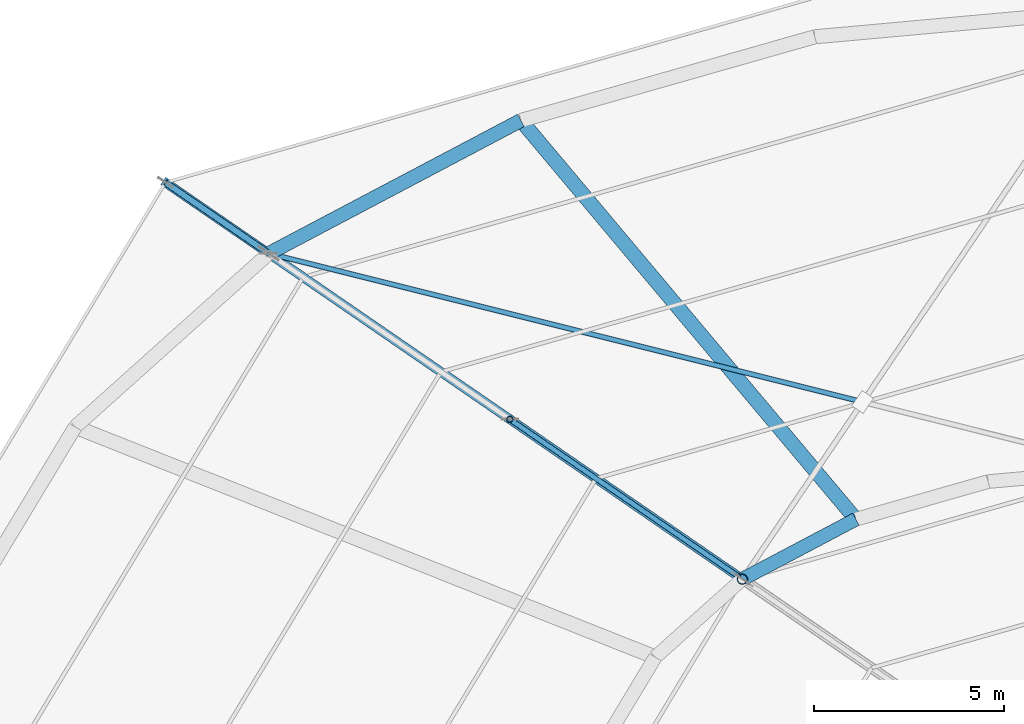
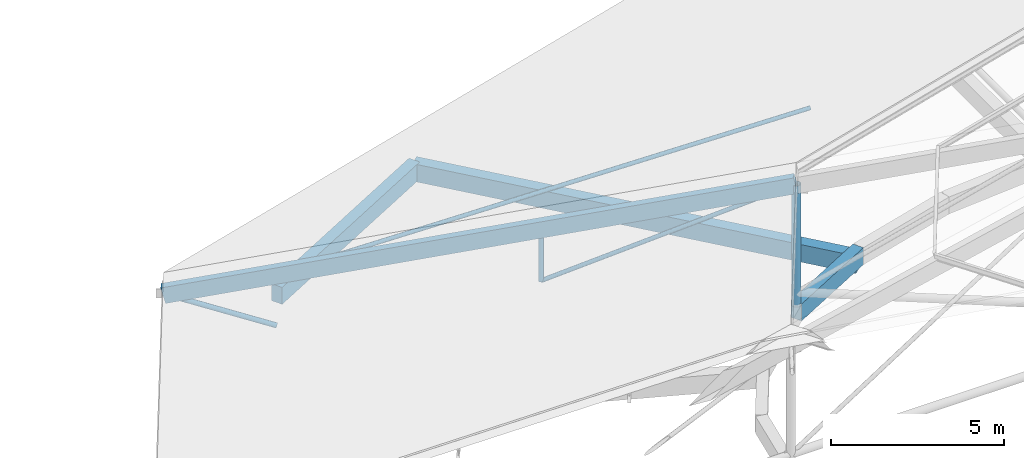
# One storey, part 33 of 66: 6 members, 3 beams.
"""IFC4 building model written with IfcOpenShell, lengths in metres."""

from ifc_helpers import new_model, si_unit, direction, frame, origin, origin_2d, place, context, subcontext, project, spatial, rectangle, hollow_circle, extrude, material, material_profile, profile_set, type_object, element, save


model = new_model("IFC4")

# Units and contexts
model_context = context("Model", 3, precision=1e-05, world=origin(), true_north=direction((0.0, 1.0)))
body_context = subcontext(model_context, "Body", "Model", "MODEL_VIEW")
ifc_project = project(units=[si_unit("LENGTHUNIT", "METRE"), si_unit("AREAUNIT", "SQUARE_METRE"), si_unit("VOLUMEUNIT", "CUBIC_METRE"), si_unit("PLANEANGLEUNIT", "RADIAN"), si_unit("MASSUNIT", "GRAM", prefix="KILO")], contexts=[model_context])

# Site, building, storey
site_placement = place(None, origin())
site = spatial("IfcSite", under=ifc_project, at=site_placement, CompositionType="ELEMENT")
building_placement = place(site_placement, origin())
building = spatial("IfcBuilding", under=site, at=building_placement, Name="Zornivar Specialist Clinic", CompositionType="ELEMENT")
storey_placement = place(building_placement, frame((0.0, 0.0, 16.0)))
storey = spatial("IfcBuildingStorey", under=building, at=storey_placement, Name="L04", CompositionType="ELEMENT", Elevation=16.0)

# Beams
ifc_material_1 = material(Name="Concrete C30/37", Category="concrete")
ifc_material_profile_1 = material_profile(ifc_material_1, rectangle(XDim=0.360107421875, YDim=0.60009765625, at=origin_2d()), Name="RC 360x600")
ifc_profile_set_1 = profile_set([ifc_material_profile_1], Name="Concrete C30/37")
beam_type_1 = type_object("IfcBeamType", Name="BM-RC-360x600", PredefinedType="BEAM", material=ifc_profile_set_1)
beam_1_placement = place(storey_placement, frame((86.39990234375, 66.174072265625, -0.300048828125), z_axis=(-0.884363165653, -0.466799519319, 0.0), x_axis=(0.466799519319, -0.884363165653, 0.0)))
element("IfcBeam", 1, at=beam_1_placement, inside=storey, type_object=beam_type_1, Name="bm:V1:L04:inring:08", PredefinedType="BEAM", context=body_context, shape_type="SweptSolid", body=[
    extrude(rectangle(XDim=0.360107421875, YDim=0.60009765625, at=origin_2d()), origin(), (0.0, 0.0, 1.0), 3.371826171875),
])
ifc_material_2 = material(Name="Concrete C30/37", Category="concrete")
ifc_material_profile_2 = material_profile(ifc_material_2, rectangle(XDim=0.3798828125, YDim=0.6201171875, at=origin_2d()), Name="RC 380x620")
ifc_profile_set_2 = profile_set([ifc_material_profile_2], Name="Concrete C30/37")
beam_type_2 = type_object("IfcBeamType", Name="BM-RC-CANT-380x620", PredefinedType="BEAM", material=ifc_profile_set_2)
beam_2_placement = place(storey_placement, frame((86.39990234375, 66.174072265625, -0.550048828125), z_axis=(-0.64308245277, 0.765796943674, 0.0), x_axis=(-0.765796943674, -0.64308245277, 0.0)))
element("IfcBeam", 2, at=beam_2_placement, inside=storey, type_object=beam_type_2, Name="bm:V1:L04:radcant:08", PredefinedType="BEAM", context=body_context, shape_type="SweptSolid", body=[
    extrude(rectangle(XDim=0.3798828125, YDim=0.6201171875, at=origin_2d()), origin(), (0.0, 0.0, 1.0), 13.683837890625),
])
ifc_material_3 = material(Name="Concrete C30/37", Category="concrete")
ifc_material_profile_3 = material_profile(ifc_material_3, rectangle(XDim=0.3701171875, YDim=0.60009765625, at=origin_2d()), Name="RC 370x600")
ifc_profile_set_3 = profile_set([ifc_material_profile_3], Name="Concrete C30/37")
beam_type_3 = type_object("IfcBeamType", Name="BM-RC-SPANDREL-370x600", PredefinedType="SPANDREL", material=ifc_profile_set_3)
beam_3_placement = place(storey_placement, frame((77.60009765625, 76.653076171875, -0.5400390625), z_axis=(-0.8844187475, -0.466694202954, 0.0), x_axis=(0.466694202954, -0.8844187475, 0.0)))
element("IfcBeam", 3, at=beam_3_placement, inside=storey, type_object=beam_type_3, Name="bm:V1:L04:outring:08", PredefinedType="SPANDREL", context=body_context, shape_type="SweptSolid", body=[
    extrude(rectangle(XDim=0.3701171875, YDim=0.60009765625, at=origin_2d()), origin(), (0.0, 0.0, 1.0), 7.4931640625),
])

# Members
ifc_material_4 = material(Name="Steel S355J2", Category="steel")
ifc_material_profile_4 = material_profile(ifc_material_4, hollow_circle(Radius=0.136474609375, WallThickness=0.012451171875, at=origin_2d()), Name="CHS 273x12.5")
ifc_profile_set_4 = profile_set([ifc_material_profile_4], Name="Steel S355J2")
member_type_1 = type_object("IfcMemberType", Name="MEM-CHORD-CHS273", PredefinedType="CHORD", material=ifc_profile_set_4)
member_1_placement = place(storey_placement, frame((83.41796875, 64.60009765625, -0.080078125), z_axis=(0.0, 0.0, 1.0), x_axis=(1.0, 0.0, 0.0)))
element("IfcMember", 4, at=member_1_placement, inside=storey, type_object=member_type_1, Name="mem:V1:L04:post:in:3", PredefinedType="CHORD", context=body_context, shape_type="SweptSolid", body=[
    extrude(hollow_circle(Radius=0.136474609375, WallThickness=0.012451171875, at=origin_2d()), origin(), (0.0, 0.0, 1.0), 4.2841796875),
])
ifc_material_5 = material(Name="Steel S355J2", Category="steel")
ifc_material_profile_5 = material_profile(ifc_material_5, hollow_circle(Radius=0.06982421875, WallThickness=0.008056640625, at=origin_2d()), Name="CHS 139.7x8")
ifc_profile_set_5 = profile_set([ifc_material_profile_5], Name="Steel S355J2")
member_type_2 = type_object("IfcMemberType", Name="MEM-DIAG-CHS140", PredefinedType="BRACE", material=ifc_profile_set_5)
member_2_placement = place(storey_placement, frame((77.30908203125, 68.800048828125, 0.360107421875), z_axis=(0.731540890812, -0.502945325899, 0.460319371986), x_axis=(0.566537208844, 0.824036158791, 0.0)))
element("IfcMember", 5, at=member_2_placement, inside=storey, type_object=member_type_2, Name="mem:V1:L04:diag2:3", PredefinedType="BRACE", context=body_context, shape_type="SweptSolid", body=[
    extrude(hollow_circle(Radius=0.06982421875, WallThickness=0.008056640625, at=origin_2d()), origin(), (0.0, 0.0, 1.0), 8.350830078125),
])
ifc_material_6 = material(Name="Glulam GL28h", Category="wood")
ifc_material_profile_6 = material_profile(ifc_material_6, rectangle(XDim=0.239990234375, YDim=0.56005859375, at=origin_2d()), Name="GL28h 240x560")
ifc_profile_set_6 = profile_set([ifc_material_profile_6], Name="Glulam GL28h")
member_type_3 = type_object("IfcMemberType", Name="MEM-RAFTER-GL560", PredefinedType="RAFTER", material=ifc_profile_set_6)
member_3_placement = place(storey_placement, frame((68.258056640625, 75.02294921875, -0.700927734375), z_axis=(0.796217734361, -0.547421330467, 0.257618334826), x_axis=(0.566544029301, 0.824031469583, 0.0)))
element("IfcMember", 6, at=member_3_placement, inside=storey, type_object=member_type_3, Name="mem:V1:L04:raf1:3", PredefinedType="RAFTER", context=body_context, shape_type="SweptSolid", body=[
    extrude(rectangle(XDim=0.239990234375, YDim=0.56005859375, at=origin_2d()), origin(), (0.0, 0.0, 1.0), 19.039794921875),
])
ifc_material_7 = material(Name="Steel S355J2", Category="steel")
ifc_material_profile_7 = material_profile(ifc_material_7, hollow_circle(Radius=0.084228515625, WallThickness=0.010009765625, at=origin_2d()), Name="CHS 168.3x10")
ifc_profile_set_7 = profile_set([ifc_material_profile_7], Name="Steel S355J2")
member_type_4 = type_object("IfcMemberType", Name="MEM-STRUT-CHS168", PredefinedType="STRUT", material=ifc_profile_set_7)
member_4_placement = place(storey_placement, frame((70.972900390625, 73.156005859375, -1.64990234375), z_axis=(-0.791785482655, 0.544494926786, 0.276768900277), x_axis=(-0.566629450792, -0.823972733466, 0.0)))
element("IfcMember", 7, at=member_4_placement, inside=storey, type_object=member_type_4, Name="mem:V1:L04:ebrace:3", PredefinedType="STRUT", context=body_context, shape_type="SweptSolid", body=[
    extrude(hollow_circle(Radius=0.084228515625, WallThickness=0.010009765625, at=origin_2d()), origin(), (0.0, 0.0, 1.0), 3.4287109375),
])
member_5_placement = place(storey_placement, frame((77.30908203125, 68.800048828125, 0.360107421875), z_axis=(0.0, 0.0, 1.0), x_axis=(1.0, 0.0, 0.0)))
element("IfcMember", 8, at=member_5_placement, inside=storey, type_object=member_type_4, Name="mem:V1:L04:vert1:3", PredefinedType="STRUT", context=body_context, shape_type="SweptSolid", body=[
    extrude(hollow_circle(Radius=0.084228515625, WallThickness=0.010009765625, at=origin_2d()), origin(), (0.0, 0.0, 1.0), 1.866943359375),
])
ifc_material_8 = material(Name="Steel S355J2", Category="steel")
ifc_material_profile_8 = material_profile(ifc_material_8, hollow_circle(Radius=0.06982421875, WallThickness=0.008056640625, at=origin_2d()), Name="CHS 139.7x8")
ifc_profile_set_8 = profile_set([ifc_material_profile_8], Name="Steel S355J2")
member_type_5 = type_object("IfcMemberType", Name="MEM-WIND-CHS140", PredefinedType="BRACE", material=ifc_profile_set_8)
member_6_placement = place(storey_placement, frame((70.972900390625, 73.156005859375, 0.177001953125), z_axis=(0.956000794499, -0.238992720287, 0.170132185573), x_axis=(0.242528482464, 0.97014428576, 0.0)))
element("IfcMember", 9, at=member_6_placement, inside=storey, type_object=member_type_5, Name="mem:V1:L04:wbraceB1:2", PredefinedType="BRACE", context=body_context, shape_type="SweptSolid", body=[
    extrude(hollow_circle(Radius=0.06982421875, WallThickness=0.008056640625, at=origin_2d()), origin(), (0.0, 0.0, 1.0), 16.3232421875),
])

save(model, "model.ifc")
